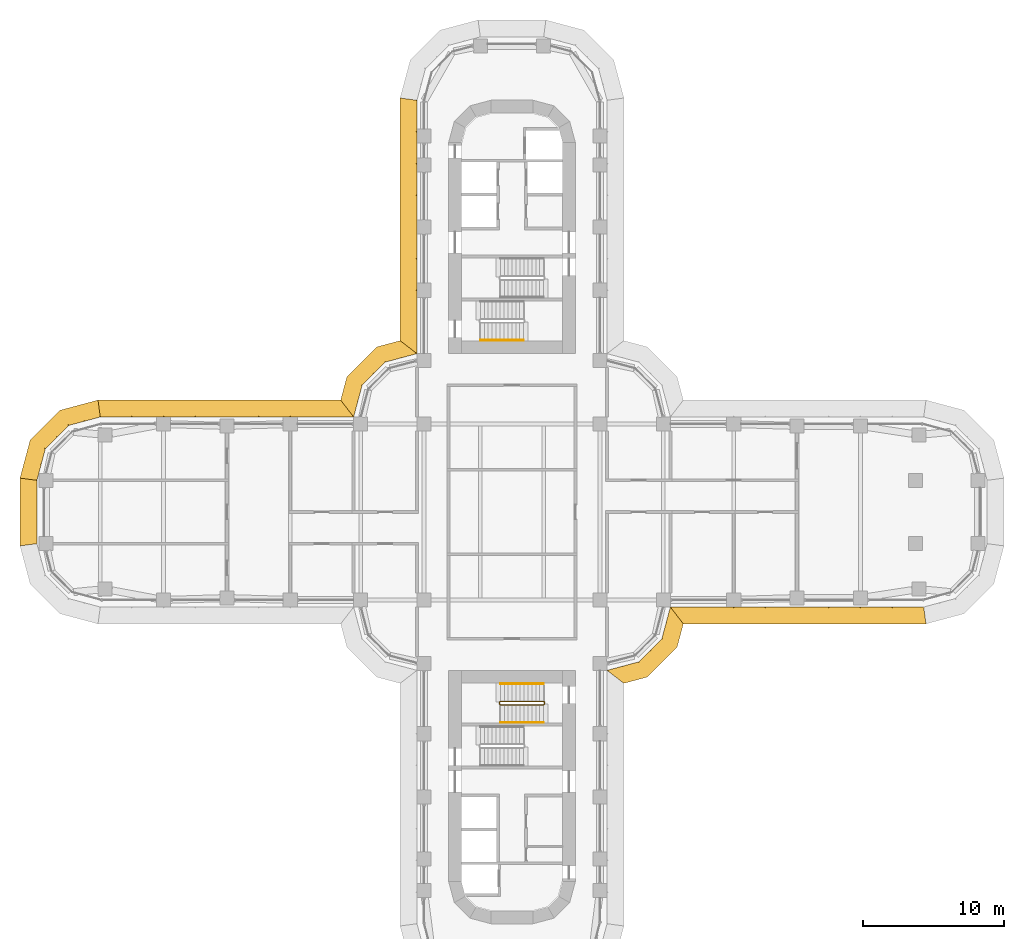
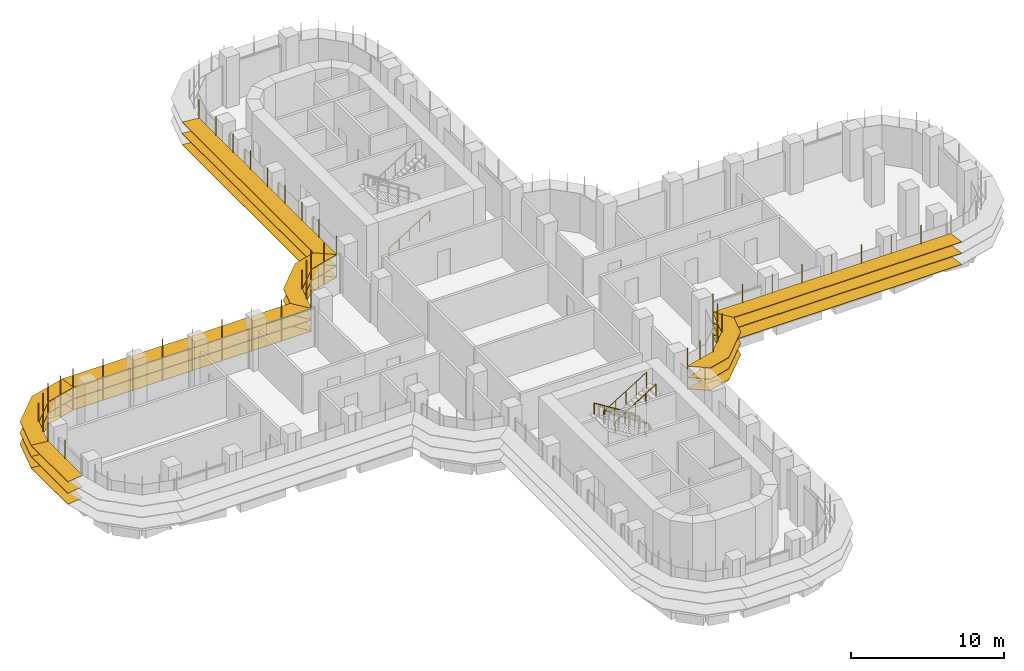
# One storey, part 21 of 23: 7 shading devices, 4 railings.
"""IFC4 building model written with IfcOpenShell, lengths in metres."""

import ifcopenshell
import ifcopenshell.guid

model = None  # the IFC model being written
_history = None  # IfcOwnerHistory: only IFC2X3 demands one
_inside = {}  # id of a spatial element -> (the spatial element, [elements in it])
_under = {}  # id of a project, library or spatial element -> (it, [spatial elements below it])
_declared = {}  # id of a project -> (the project, [libraries it declares])
_typed = {}  # id of a type object -> (the type object, [elements of that type])
_made_of = {}  # id of a material, layer set ... -> (it, [elements and type objects made of it])


def new_model(schema):
    """Start an empty IFC model of exactly this schema.

    Asked for "IFC4X3", IfcOpenShell would pick the latest addendum, in which some entities
    have other attributes; the version numbers below select the first issue.
    IFC2X3 requires an IfcOwnerHistory on every rooted entity: one is made here for all.
    """
    global model, _history
    if schema == "IFC4X3":
        model = ifcopenshell.file(schema_version=(4, 3, 0, 0))
    else:
        model = ifcopenshell.file(schema=schema)
    _inside.clear()
    _under.clear()
    _declared.clear()
    _typed.clear()
    _made_of.clear()
    _history = None
    if model.schema == "IFC2X3":
        org = make("IfcOrganization", Name="unknown")
        user = make(
            "IfcPersonAndOrganization",
            ThePerson=make("IfcPerson", FamilyName="unknown"),
            TheOrganization=org,
        )
        app = make(
            "IfcApplication",
            ApplicationDeveloper=org,
            Version="unknown",
            ApplicationFullName="unknown",
            ApplicationIdentifier="unknown",
        )
        _history = make(
            "IfcOwnerHistory",
            OwningUser=user,
            OwningApplication=app,
            ChangeAction="ADDED",
            CreationDate=0,
        )
    return model


def make(cls, **values):
    """One entity of the class cls with the attributes given. An attribute that is None is left unset."""
    return model.create_entity(
        cls, **{name: value for name, value in values.items() if value is not None}
    )


def rooted(cls, **values):
    """An entity with a GlobalId (a new one), such as an element, a storey or a relation."""
    return make(cls, GlobalId=ifcopenshell.guid.new(), OwnerHistory=_history, **values)


def si_unit(unit_type, name, prefix=None):
    """IfcSIUnit, for example si_unit("LENGTHUNIT", "METRE", prefix="MILLI")."""
    return make("IfcSIUnit", UnitType=unit_type, Prefix=prefix, Name=name)


def assignment(units):
    """IfcUnitAssignment: the units of a project."""
    return None if units is None else make("IfcUnitAssignment", Units=units)


def point(xyz):
    """IfcCartesianPoint."""
    return None if xyz is None else make("IfcCartesianPoint", Coordinates=xyz)


def direction(xyz):
    """IfcDirection."""
    return None if xyz is None else make("IfcDirection", DirectionRatios=xyz)


def frame(location, z_axis=None, x_axis=None):
    """IfcAxis2Placement3D, a coordinate frame: its origin and axes. An axis left out is left unset."""
    return make(
        "IfcAxis2Placement3D",
        Location=point(location),
        Axis=direction(z_axis),
        RefDirection=direction(x_axis),
    )


def frame_2d(location, x_axis=None):
    """IfcAxis2Placement2D, a coordinate frame in the plane: its origin and x axis."""
    return make(
        "IfcAxis2Placement2D", Location=point(location), RefDirection=direction(x_axis)
    )


def origin():
    """The frame at (0, 0, 0) with its axes left unset."""
    return frame((0.0, 0.0, 0.0))


def origin_2d():
    """The frame at (0, 0) in the plane with its x axis left unset."""
    return frame_2d((0.0, 0.0))


def place(relative_to, where):
    """IfcLocalPlacement: puts the frame where relative to a parent placement (None: the world)."""
    return make(
        "IfcLocalPlacement", PlacementRelTo=relative_to, RelativePlacement=where
    )


def context(
    kind, dimensions, precision=None, world=None, true_north=None, identifier=None
):
    """IfcGeometricRepresentationContext, for example the 3D "Model" context."""
    return make(
        "IfcGeometricRepresentationContext",
        ContextIdentifier=identifier,
        ContextType=kind,
        CoordinateSpaceDimension=dimensions,
        Precision=precision,
        WorldCoordinateSystem=world,
        TrueNorth=true_north,
    )


def subcontext(parent, identifier, kind, view, scale=None):
    """IfcGeometricRepresentationSubContext, for example "Body" below "Model"."""
    return make(
        "IfcGeometricRepresentationSubContext",
        ContextIdentifier=identifier,
        ContextType=kind,
        ParentContext=parent,
        TargetScale=scale,
        TargetView=view,
    )


def project(units=None, contexts=None):
    """IfcProject with its units and contexts."""
    return rooted(
        "IfcProject",
        Name="project",
        RepresentationContexts=contexts,
        UnitsInContext=assignment(units),
    )


def spatial(cls, under=None, at=None, **own):
    """A site, building, storey or space (cls), placed at a placement, below another one or the project."""
    s = rooted(cls, ObjectPlacement=at, **own)
    if under is not None:
        _under.setdefault(under.id(), (under, []))[1].append(s)
    return s


def polyline(points):
    """IfcPolyline through the points."""
    return make("IfcPolyline", Points=[point(p) for p in points])


def profile(cls, at=None, kind="AREA", **sizes):
    """A parametric profile (cls). Its sizes go by their IFC names, for example OverallWidth=200.0."""
    return make(cls, ProfileType=kind, Position=at, **sizes)


def circle(**sizes):
    """IfcCircleProfileDef."""
    return profile("IfcCircleProfileDef", **sizes)


def outline(outer, holes=None, kind="AREA"):
    """IfcArbitraryClosedProfileDef: a profile drawn as a closed curve; with holes, ...WithVoids."""
    if holes is None:
        return make("IfcArbitraryClosedProfileDef", ProfileType=kind, OuterCurve=outer)
    return make(
        "IfcArbitraryProfileDefWithVoids",
        ProfileType=kind,
        OuterCurve=outer,
        InnerCurves=holes,
    )


def extrude(swept, where, along, depth):
    """IfcExtrudedAreaSolid: the profile swept, set in the frame where, extruded along a direction by depth."""
    return make(
        "IfcExtrudedAreaSolid",
        SweptArea=swept,
        Position=where,
        ExtrudedDirection=direction(along),
        Depth=depth,
    )


def faces_of(points, faces, orient=None, outer=None):
    """IfcFace entities. A face is a list of loops; a loop is a list of indices into points, from 0.

    orient and outer hold one flag for each loop. By default every Orientation is true, the
    first loop of a face is its IfcFaceOuterBound and the others are IfcFaceBound.
    """
    made = []
    for i, loops in enumerate(faces):
        bounds = []
        for j, loop in enumerate(loops):
            is_outer = j == 0 if outer is None else outer[i][j]
            bounds.append(
                make(
                    "IfcFaceOuterBound" if is_outer else "IfcFaceBound",
                    Bound=make("IfcPolyLoop", Polygon=[points[k] for k in loop]),
                    Orientation=True if orient is None else orient[i][j],
                )
            )
        made.append(make("IfcFace", Bounds=bounds))
    return made


def faceted_brep(points, faces, orient=None, outer=None, voids=None):
    """IfcFacetedBrep: a solid bounded by flat faces; with voids (closed shells), ...WithVoids."""
    shared = [point(p) for p in points]
    hull = make("IfcClosedShell", CfsFaces=faces_of(shared, faces, orient, outer))
    if voids is None:
        return make("IfcFacetedBrep", Outer=hull)
    return make(
        "IfcFacetedBrepWithVoids",
        Outer=hull,
        Voids=[
            make(cls, CfsFaces=faces_of(shared, fs, o, b)) for cls, fs, o, b in voids
        ],
    )


def shape(context_of_items, identifier, shape_type, items):
    """IfcShapeRepresentation: the items that make up one representation, for example the "Body"."""
    return make(
        "IfcShapeRepresentation",
        ContextOfItems=context_of_items,
        RepresentationIdentifier=identifier,
        RepresentationType=shape_type,
        Items=items,
    )


def source(mapping_origin, context_of_items, identifier, shape_type, items):
    """IfcRepresentationMap: a shape defined once, which mapped items show again and again."""
    return make(
        "IfcRepresentationMap",
        MappingOrigin=mapping_origin,
        MappedRepresentation=shape(context_of_items, identifier, shape_type, items),
    )


def transform(
    local_origin,
    x_axis=None,
    y_axis=None,
    z_axis=None,
    scale=None,
    scale2=None,
    scale3=None,
    uniform=True,
):
    """IfcCartesianTransformationOperator3D, or its non-uniform kind. x_axis, y_axis, z_axis: its Axis1, 2, 3."""
    if uniform:
        return make(
            "IfcCartesianTransformationOperator3D",
            Axis1=direction(x_axis),
            Axis2=direction(y_axis),
            LocalOrigin=point(local_origin),
            Scale=scale,
            Axis3=direction(z_axis),
        )
    return make(
        "IfcCartesianTransformationOperator3DnonUniform",
        Axis1=direction(x_axis),
        Axis2=direction(y_axis),
        LocalOrigin=point(local_origin),
        Scale=scale,
        Axis3=direction(z_axis),
        Scale2=scale2,
        Scale3=scale3,
    )


def mapped(mapping_source, mapping_target):
    """IfcMappedItem: shows the shape of a source again, moved by a transform."""
    return make(
        "IfcMappedItem", MappingSource=mapping_source, MappingTarget=mapping_target
    )


def material(Name=None, Category=None):
    """IfcMaterial."""
    return make("IfcMaterial", Name=Name, Category=Category)


def made_of(thing, what):
    """Note that an element or type object is made of a material, layer set ...; save() writes the relation."""
    if what is not None:
        _made_of.setdefault(what.id(), (what, []))[1].append(thing)
    return thing


def type_object(cls, material=None, **own):
    """A type object (cls), such as IfcWallType, which elements share."""
    return made_of(rooted(cls, **own), material)


def element(
    cls,
    number,
    at=None,
    inside=None,
    cuts=None,
    type_object=None,
    material=None,
    context=None,
    identifier="Body",
    shape_type=None,
    held_by="IfcProductDefinitionShape",
    body=None,
    shapes=None,
    **own,
):
    """One element of the class cls, such as IfcWall. Its Tag is "e" and its number.

    at: its placement. inside: the storey or other place that contains it. cuts: it is an
    opening in that element (IfcRelVoidsElement). A single representation is given by context,
    identifier, shape_type and body (its items); several are given by shapes. held_by: the class
    of the entity that holds the representations. save() writes the other relations.
    """
    e = rooted(cls, Tag="e%d" % number, ObjectPlacement=at, **own)
    if body is not None:
        shapes = [shape(context, identifier, shape_type, body)]
    if shapes is not None:
        e.Representation = make(held_by, Representations=shapes)
    if inside is not None:
        _inside.setdefault(inside.id(), (inside, []))[1].append(e)
    if cuts is not None:
        rooted(
            "IfcRelVoidsElement", RelatingBuildingElement=cuts, RelatedOpeningElement=e
        )
    if type_object is not None:
        _typed.setdefault(type_object.id(), (type_object, []))[1].append(e)
    return made_of(e, material)


def aggregate(whole, parts):
    """IfcRelAggregates: a whole, such as a stair, and the parts it consists of."""
    return rooted("IfcRelAggregates", RelatingObject=whole, RelatedObjects=parts)


def save(model, path):
    """Write the relations noted so far, then the file.

    IfcRelAggregates (storeys below a building ...), IfcRelContainedInSpatialStructure (elements
    in a storey), IfcRelDefinesByType, IfcRelAssociatesMaterial and IfcRelDeclares: one each for
    every whole, place, type object, material and project.
    """
    for whole, parts in _under.values():
        aggregate(whole, parts)
    for where, things in _inside.values():
        rooted(
            "IfcRelContainedInSpatialStructure",
            RelatedElements=things,
            RelatingStructure=where,
        )
    for kind, things in _typed.values():
        rooted("IfcRelDefinesByType", RelatedObjects=things, RelatingType=kind)
    for what, things in _made_of.values():
        rooted("IfcRelAssociatesMaterial", RelatedObjects=things, RelatingMaterial=what)
    for by, libraries in _declared.values():
        rooted("IfcRelDeclares", RelatingContext=by, RelatedDefinitions=libraries)
    model.write(path)


model = new_model("IFC4")

# Units and contexts
model_context = context("Model", 3, precision=1e-05, world=origin(), true_north=direction((0.0, 1.0)))
body_context = subcontext(model_context, "Body", "Model", "MODEL_VIEW")
ifc_project = project(units=[si_unit("LENGTHUNIT", "METRE"), si_unit("AREAUNIT", "SQUARE_METRE"), si_unit("VOLUMEUNIT", "CUBIC_METRE"), si_unit("PLANEANGLEUNIT", "RADIAN"), si_unit("MASSUNIT", "GRAM", prefix="KILO")], contexts=[model_context])

# Site, building, storey
site_placement = place(None, origin())
site = spatial("IfcSite", under=ifc_project, at=site_placement, CompositionType="ELEMENT")
building_placement = place(site_placement, origin())
building = spatial("IfcBuilding", under=site, at=building_placement, Name="Zarbagh Exchange Tower", CompositionType="ELEMENT")
storey_placement = place(building_placement, frame((0.0, 0.0, 39.60009765625)))
storey = spatial("IfcBuildingStorey", under=building, at=storey_placement, Name="L08", CompositionType="ELEMENT", Elevation=39.60009765625)

# Railings
ifc_material_1 = material(Name="Stainless steel", Category="steel")
railing_type_1 = type_object("IfcRailingType", Name="Stair guard 1100 mm", PredefinedType="GUARDRAIL", material=ifc_material_1)
railing_1_placement = place(storey_placement, frame((-0.8798828125, -13.5, 2.099853515625)))
element("IfcRailing", 1, at=railing_1_placement, inside=storey, type_object=railing_type_1, Name="ST4 stair guard 1", PredefinedType="GUARDRAIL", context=body_context, shape_type="SweptSolid", body=[
    extrude(circle(Radius=0.02392578125, at=origin_2d()), frame((0.0, 0.0, 1.076171875), z_axis=(0.0, -1.0, 0.0), x_axis=(1.0, 0.0, 0.0)), (0.0, 0.0, 1.0), 0.14990234375),
    extrude(circle(Radius=0.02392578125, at=origin_2d()), frame((0.0, -0.14990234375, 1.076171875), z_axis=(0.263862480399, -0.265155923931, 0.927399011991), x_axis=(0.708833529934, 0.705375805398, 0.0)), (0.0, 0.0, 1.0), 0.188720703125),
    extrude(circle(Radius=0.02392578125, at=origin_2d()), frame((0.0498046875, -0.199951171875, 1.2509765625), z_axis=(0.847998304005, 0.0, 0.529998940003), x_axis=(0.0, 1.0, 0.0)), (0.0, 0.0, 1.0), 3.632080078125),
    extrude(circle(Radius=0.02392578125, at=origin_2d()), frame((3.1298828125, -0.199951171875, 3.17626953125), z_axis=(0.011914834358, 0.011914834358, -0.999858026644), x_axis=(-0.707106781187, 0.707106781187, 0.0)), (0.0, 0.0, 1.0), 4.200439453125),
    extrude(circle(Radius=0.02392578125, at=origin_2d()), frame((3.179931640625, -0.14990234375, -1.02392578125), z_axis=(0.0, 1.0, 0.0), x_axis=(-1.0, 0.0, 0.0)), (0.0, 0.0, 1.0), 0.14990234375),
    extrude(circle(Radius=0.02392578125, at=origin_2d()), frame((3.179931640625, 0.0, -1.02392578125), z_axis=(-0.265383341853, 0.265383341853, 0.926899867156), x_axis=(-0.707106781187, -0.707106781187, 0.0)), (0.0, 0.0, 1.0), 0.1884765625),
    extrude(circle(Radius=0.02392578125, at=origin_2d()), frame((3.1298828125, 0.050048828125, -0.84912109375), z_axis=(-0.847998304005, 0.0, 0.529998940003), x_axis=(0.0, -1.0, 0.0)), (0.0, 0.0, 1.0), 3.632080078125),
    extrude(circle(Radius=0.02099609375, at=origin_2d()), origin(), (0.0, 0.0, 1.0), 1.052001953125),
    extrude(circle(Radius=0.02099609375, at=origin_2d()), frame((0.0, -0.14990234375, 0.0)), (0.0, 0.0, 1.0), 1.052001953125),
    extrude(circle(Radius=0.02099609375, at=origin_2d()), frame((0.0498046875, -0.199951171875, 0.175048828125)), (0.0, 0.0, 1.0), 1.052001953125),
    extrude(circle(Radius=0.02099609375, at=origin_2d()), frame((0.81982421875, -0.199951171875, 0.65625)), (0.0, 0.0, 1.0), 1.052001953125),
    extrude(circle(Radius=0.02099609375, at=origin_2d()), frame((1.58984375, -0.199951171875, 1.1376953125)), (0.0, 0.0, 1.0), 1.052001953125),
    extrude(circle(Radius=0.02099609375, at=origin_2d()), frame((2.35986328125, -0.199951171875, 1.618896484375)), (0.0, 0.0, 1.0), 1.052001953125),
    extrude(circle(Radius=0.02099609375, at=origin_2d()), frame((3.1298828125, -0.199951171875, 2.10009765625)), (0.0, 0.0, 1.0), 1.052001953125),
    extrude(circle(Radius=0.02099609375, at=origin_2d()), frame((3.142333984375, -0.1875, 1.050048828125)), (0.0, 0.0, 1.0), 1.052001953125),
    extrude(circle(Radius=0.02099609375, at=origin_2d()), frame((3.15478515625, -0.1748046875, 0.0)), (0.0, 0.0, 1.0), 1.052001953125),
    extrude(circle(Radius=0.02099609375, at=origin_2d()), frame((3.16748046875, -0.162353515625, -1.0498046875)), (0.0, 0.0, 1.0), 1.052001953125),
    extrude(circle(Radius=0.02099609375, at=origin_2d()), frame((3.179931640625, -0.14990234375, -2.099853515625)), (0.0, 0.0, 1.0), 1.052001953125),
    extrude(circle(Radius=0.02099609375, at=origin_2d()), frame((3.179931640625, 0.0, -2.099853515625)), (0.0, 0.0, 1.0), 1.052001953125),
    extrude(circle(Radius=0.02099609375, at=origin_2d()), frame((3.1298828125, 0.050048828125, -1.925048828125)), (0.0, 0.0, 1.0), 1.052001953125),
    extrude(circle(Radius=0.02099609375, at=origin_2d()), frame((2.35986328125, 0.050048828125, -1.44384765625)), (0.0, 0.0, 1.0), 1.052001953125),
    extrude(circle(Radius=0.02099609375, at=origin_2d()), frame((1.58984375, 0.050048828125, -0.96240234375)), (0.0, 0.0, 1.0), 1.052001953125),
    extrude(circle(Radius=0.02099609375, at=origin_2d()), frame((0.81982421875, 0.050048828125, -0.481201171875)), (0.0, 0.0, 1.0), 1.052001953125),
    extrude(circle(Radius=0.02099609375, at=origin_2d()), frame((0.0498046875, 0.050048828125, 0.0)), (0.0, 0.0, 1.0), 1.052001953125),
])
railing_type_2 = type_object("IfcRailingType", Name="Stair handrail 900 mm", PredefinedType="HANDRAIL", material=ifc_material_1)
railing_2_placement = place(storey_placement, frame((-2.25, 12.199951171875, 0.1748046875)))
element("IfcRailing", 2, at=railing_2_placement, inside=storey, type_object=railing_type_2, Name="ST2 stair handrail 1", PredefinedType="HANDRAIL", context=body_context, shape_type="SweptSolid", body=[
    extrude(circle(Radius=0.02392578125, at=origin_2d()), frame((0.0, 0.0, 0.8759765625), z_axis=(0.847998304005, 0.0, 0.529998940003), x_axis=(0.0, 1.0, 0.0)), (0.0, 0.0, 1.0), 3.632080078125),
    extrude(circle(Radius=0.02099609375, at=origin_2d()), origin(), (0.0, 0.0, 1.0), 0.851806640625),
    extrude(circle(Radius=0.02099609375, at=origin_2d()), frame((0.77001953125, 0.0, 0.481201171875)), (0.0, 0.0, 1.0), 0.851806640625),
    extrude(circle(Radius=0.02099609375, at=origin_2d()), frame((1.5400390625, 0.0, 0.96240234375)), (0.0, 0.0, 1.0), 0.851806640625),
    extrude(circle(Radius=0.02099609375, at=origin_2d()), frame((2.31005859375, 0.0, 1.44384765625)), (0.0, 0.0, 1.0), 0.851806640625),
    extrude(circle(Radius=0.02099609375, at=origin_2d()), frame((3.080078125, 0.0, 1.925048828125)), (0.0, 0.0, 1.0), 0.851806640625),
])
railing_3_placement = place(storey_placement, frame((2.25, -12.199951171875, 0.1748046875)))
element("IfcRailing", 3, at=railing_3_placement, inside=storey, type_object=railing_type_2, Name="ST4 stair handrail 1", PredefinedType="HANDRAIL", context=body_context, shape_type="SweptSolid", body=[
    extrude(circle(Radius=0.02392578125, at=origin_2d()), frame((0.0, 0.0, 0.8759765625), z_axis=(-0.847998304005, 0.0, 0.529998940003), x_axis=(0.0, -1.0, 0.0)), (0.0, 0.0, 1.0), 3.632080078125),
    extrude(circle(Radius=0.02099609375, at=origin_2d()), origin(), (0.0, 0.0, 1.0), 0.851806640625),
    extrude(circle(Radius=0.02099609375, at=origin_2d()), frame((-0.77001953125, 0.0, 0.481201171875)), (0.0, 0.0, 1.0), 0.851806640625),
    extrude(circle(Radius=0.02099609375, at=origin_2d()), frame((-1.5400390625, 0.0, 0.96240234375)), (0.0, 0.0, 1.0), 0.851806640625),
    extrude(circle(Radius=0.02099609375, at=origin_2d()), frame((-2.31005859375, 0.0, 1.44384765625)), (0.0, 0.0, 1.0), 0.851806640625),
    extrude(circle(Radius=0.02099609375, at=origin_2d()), frame((-3.080078125, 0.0, 1.925048828125)), (0.0, 0.0, 1.0), 0.851806640625),
])
railing_4_placement = place(storey_placement, frame((-0.830078125, -14.949951171875, 2.27490234375)))
element("IfcRailing", 4, at=railing_4_placement, inside=storey, type_object=railing_type_2, Name="ST4 stair handrail 2", PredefinedType="HANDRAIL", context=body_context, shape_type="SweptSolid", body=[
    extrude(circle(Radius=0.02392578125, at=origin_2d()), frame((0.0, 0.0, 0.8759765625), z_axis=(0.847998304005, 0.0, 0.529998940003), x_axis=(0.0, 1.0, 0.0)), (0.0, 0.0, 1.0), 3.632080078125),
    extrude(circle(Radius=0.02099609375, at=origin_2d()), origin(), (0.0, 0.0, 1.0), 0.851806640625),
    extrude(circle(Radius=0.02099609375, at=origin_2d()), frame((0.77001953125, 0.0, 0.481201171875)), (0.0, 0.0, 1.0), 0.851806640625),
    extrude(circle(Radius=0.02099609375, at=origin_2d()), frame((1.5400390625, 0.0, 0.96240234375)), (0.0, 0.0, 1.0), 0.851806640625),
    extrude(circle(Radius=0.02099609375, at=origin_2d()), frame((2.31005859375, 0.0, 1.44384765625)), (0.0, 0.0, 1.0), 0.851806640625),
    extrude(circle(Radius=0.02099609375, at=origin_2d()), frame((3.080078125, 0.0, 1.925048828125)), (0.0, 0.0, 1.0), 0.851806640625),
])

# Shading devices
ifc_material_2 = material(Name="Anodised aluminium blades and brackets", Category="aluminium")
shading_device_type = type_object("IfcShadingDeviceType", Name="SUNSHADE louvre band, 0 degree blades", PredefinedType="JALOUSIE", material=ifc_material_2)
shared_shape_1 = source(origin(), body_context, "Body", "Brep", [
    faceted_brep([(0.0, 0.0, 0.0), (0.0, 0.0, -0.0400390625), (-0.157958984375, -1.199951171875, -0.0400390625), (-0.157958984375, -1.199951171875, 0.0), (2.65087890625, -1.199951171875, 0.0), (2.65087890625, -1.199951171875, -0.0400390625), (2.329345703125, 0.0, -0.0400390625), (2.329345703125, 0.0, 0.0)], [[[0, 1, 2, 3]], [[4, 5, 6, 7]], [[0, 7, 6, 1]], [[1, 6, 5, 2]], [[2, 5, 4, 3]], [[3, 4, 7, 0]]]),
])
shared_shape_2 = source(origin(), body_context, "Body", "Brep", [
    faceted_brep([(0.0, 0.0, 0.0), (0.0, 0.0, -0.0400390625), (-0.321533203125, -1.199951171875, -0.0400390625), (-0.321533203125, -1.199951171875, 0.0), (2.65087890625, -1.199951171875, 0.0), (2.65087890625, -1.199951171875, -0.0400390625), (2.329345703125, 0.0, -0.0400390625), (2.329345703125, 0.0, 0.0)], [[[0, 1, 2, 3]], [[4, 5, 6, 7]], [[0, 7, 6, 1]], [[1, 6, 5, 2]], [[2, 5, 4, 3]], [[3, 4, 7, 0]]]),
])
shared_shape_3 = source(origin(), body_context, "Body", "Brep", [
    faceted_brep([(0.0, 0.0, 0.0), (0.0, 0.0, -0.0400390625), (-0.321533203125, -1.199951171875, -0.0400390625), (-0.321533203125, -1.199951171875, 0.0), (2.4873046875, -1.199951171875, 0.0), (2.4873046875, -1.199951171875, -0.0400390625), (2.329345703125, 0.0, -0.0400390625), (2.329345703125, 0.0, 0.0)], [[[0, 1, 2, 3]], [[4, 5, 6, 7]], [[0, 7, 6, 1]], [[1, 6, 5, 2]], [[2, 5, 4, 3]], [[3, 4, 7, 0]]]),
])
shared_shape_4 = source(origin(), body_context, "Body", "SweptSolid", [
    extrude(outline(polyline([(0.0, -0.012451171875), (0.06005859375, -0.012451171875), (0.06005859375, 0.012451171875), (0.0, 0.012451171875), (0.0, -0.012451171875)])), origin(), (0.0, 0.0, 1.0), 3.35009765625),
])
placement = place(storey_placement, origin())
element("IfcShadingDevice", 5, at=placement, inside=storey, type_object=shading_device_type, Name="SS17 sunshade band", PredefinedType="JALOUSIE", context=body_context, shape_type="MappedRepresentation", body=[
    mapped(shared_shape_1, transform((-29.25, 6.75, 2.699951171875), x_axis=(-0.965924289636, -0.258824779902, 0.0), y_axis=(0.258824779902, -0.965924289636, 0.0), z_axis=(0.0, 0.0, 1.0))),
    mapped(shared_shape_1, transform((-29.25, 6.75, 1.7998046875), x_axis=(-0.965924289636, -0.258824779902, 0.0), y_axis=(0.258824779902, -0.965924289636, 0.0), z_axis=(0.0, 0.0, 1.0))),
    mapped(shared_shape_1, transform((-29.25, 6.75, 0.89990234375), x_axis=(-0.965924289636, -0.258824779902, 0.0), y_axis=(0.258824779902, -0.965924289636, 0.0), z_axis=(0.0, 0.0, 1.0))),
    mapped(shared_shape_2, transform((-31.5, 6.147216796875, 2.699951171875), x_axis=(-0.707106781187, -0.707106781187, 0.0), y_axis=(0.707106781187, -0.707106781187, 0.0), z_axis=(0.0, 0.0, 1.0))),
    mapped(shared_shape_2, transform((-31.5, 6.147216796875, 1.7998046875), x_axis=(-0.707106781187, -0.707106781187, 0.0), y_axis=(0.707106781187, -0.707106781187, 0.0), z_axis=(0.0, 0.0, 1.0))),
    mapped(shared_shape_2, transform((-31.5, 6.147216796875, 0.89990234375), x_axis=(-0.707106781187, -0.707106781187, 0.0), y_axis=(0.707106781187, -0.707106781187, 0.0), z_axis=(0.0, 0.0, 1.0))),
    mapped(shared_shape_3, transform((-33.147216796875, 4.5, 2.699951171875), x_axis=(-0.258824779902, -0.965924289636, 0.0), y_axis=(0.965924289636, -0.258824779902, 0.0), z_axis=(0.0, 0.0, 1.0))),
    mapped(shared_shape_3, transform((-33.147216796875, 4.5, 1.7998046875), x_axis=(-0.258824779902, -0.965924289636, 0.0), y_axis=(0.965924289636, -0.258824779902, 0.0), z_axis=(0.0, 0.0, 1.0))),
    mapped(shared_shape_3, transform((-33.147216796875, 4.5, 0.89990234375), x_axis=(-0.258824779902, -0.965924289636, 0.0), y_axis=(0.965924289636, -0.258824779902, 0.0), z_axis=(0.0, 0.0, 1.0))),
    mapped(shared_shape_4, transform((-29.25, 6.75, 0.829833984375), x_axis=(-0.130529263012, 0.991444457092, 0.0), y_axis=(-0.991444457092, -0.130529263012, 0.0), z_axis=(0.0, 0.0, 1.0))),
    mapped(shared_shape_4, transform((-30.375, 6.448486328125, 0.829833984375), x_axis=(-0.258825058029, 0.96592421511, 0.0), y_axis=(-0.96592421511, -0.258825058029, 0.0), z_axis=(0.0, 0.0, 1.0))),
    mapped(shared_shape_4, transform((-31.5, 6.147216796875, 0.829833984375), x_axis=(-0.50000275701, 0.866023812018, 0.0), y_axis=(-0.866023812018, -0.50000275701, 0.0), z_axis=(0.0, 0.0, 1.0))),
    mapped(shared_shape_4, transform((-32.323486328125, 5.323486328125, 0.829833984375), x_axis=(-0.707106781187, 0.707106781187, 0.0), y_axis=(-0.707106781187, -0.707106781187, 0.0), z_axis=(0.0, 0.0, 1.0))),
    mapped(shared_shape_4, transform((-33.147216796875, 4.5, 0.829833984375), x_axis=(-0.866023812018, 0.50000275701, 0.0), y_axis=(-0.50000275701, -0.866023812018, 0.0), z_axis=(0.0, 0.0, 1.0))),
    mapped(shared_shape_4, transform((-33.448486328125, 3.375, 0.829833984375), x_axis=(-0.96592421511, 0.258825058029, 0.0), y_axis=(-0.258825058029, -0.96592421511, 0.0), z_axis=(0.0, 0.0, 1.0))),
])
shared_shape_5 = source(origin(), body_context, "Body", "Brep", [
    faceted_brep([(0.0, 0.0, 0.0), (0.0, 0.0, -0.0400390625), (0.9208984375, -1.199951171875, -0.0400390625), (0.9208984375, -1.199951171875, 0.0), (2.65087890625, -1.199951171875, 0.0), (2.65087890625, -1.199951171875, -0.0400390625), (2.329345703125, 0.0, -0.0400390625), (2.329345703125, 0.0, 0.0)], [[[0, 1, 2, 3]], [[4, 5, 6, 7]], [[0, 7, 6, 1]], [[1, 6, 5, 2]], [[2, 5, 4, 3]], [[3, 4, 7, 0]]]),
])
shared_shape_6 = source(origin(), body_context, "Body", "Brep", [
    faceted_brep([(0.0, 0.0, 0.0), (0.0, 0.0, -0.0400390625), (-0.321533203125, -1.199951171875, -0.0400390625), (-0.321533203125, -1.199951171875, 0.0), (1.40869140625, -1.199951171875, 0.0), (1.40869140625, -1.199951171875, -0.0400390625), (2.329345703125, 0.0, -0.0400390625), (2.329345703125, 0.0, 0.0)], [[[0, 1, 2, 3]], [[4, 5, 6, 7]], [[0, 7, 6, 1]], [[1, 6, 5, 2]], [[2, 5, 4, 3]], [[3, 4, 7, 0]]]),
])
element("IfcShadingDevice", 6, at=placement, inside=storey, type_object=shading_device_type, Name="SS03 sunshade band", PredefinedType="JALOUSIE", context=body_context, shape_type="MappedRepresentation", body=[
    mapped(shared_shape_5, transform((6.75, -11.25, 2.699951171875), x_axis=(0.965924289636, 0.258824779902, 0.0), y_axis=(-0.258824779902, 0.965924289636, 0.0), z_axis=(0.0, 0.0, 1.0))),
    mapped(shared_shape_5, transform((6.75, -11.25, 1.7998046875), x_axis=(0.965924289636, 0.258824779902, 0.0), y_axis=(-0.258824779902, 0.965924289636, 0.0), z_axis=(0.0, 0.0, 1.0))),
    mapped(shared_shape_5, transform((6.75, -11.25, 0.89990234375), x_axis=(0.965924289636, 0.258824779902, 0.0), y_axis=(-0.258824779902, 0.965924289636, 0.0), z_axis=(0.0, 0.0, 1.0))),
    mapped(shared_shape_2, transform((9.0, -10.647216796875, 2.699951171875), x_axis=(0.707106781187, 0.707106781187, 0.0), y_axis=(-0.707106781187, 0.707106781187, 0.0), z_axis=(0.0, 0.0, 1.0))),
    mapped(shared_shape_2, transform((9.0, -10.647216796875, 1.7998046875), x_axis=(0.707106781187, 0.707106781187, 0.0), y_axis=(-0.707106781187, 0.707106781187, 0.0), z_axis=(0.0, 0.0, 1.0))),
    mapped(shared_shape_2, transform((9.0, -10.647216796875, 0.89990234375), x_axis=(0.707106781187, 0.707106781187, 0.0), y_axis=(-0.707106781187, 0.707106781187, 0.0), z_axis=(0.0, 0.0, 1.0))),
    mapped(shared_shape_6, transform((10.647216796875, -9.0, 2.699951171875), x_axis=(0.258824779902, 0.965924289636, 0.0), y_axis=(-0.965924289636, 0.258824779902, 0.0), z_axis=(0.0, 0.0, 1.0))),
    mapped(shared_shape_6, transform((10.647216796875, -9.0, 1.7998046875), x_axis=(0.258824779902, 0.965924289636, 0.0), y_axis=(-0.965924289636, 0.258824779902, 0.0), z_axis=(0.0, 0.0, 1.0))),
    mapped(shared_shape_6, transform((10.647216796875, -9.0, 0.89990234375), x_axis=(0.258824779902, 0.965924289636, 0.0), y_axis=(-0.965924289636, 0.258824779902, 0.0), z_axis=(0.0, 0.0, 1.0))),
    mapped(shared_shape_4, transform((6.75, -11.25, 0.829833984375), x_axis=(0.793355287, -0.608758892, 0.0), y_axis=(0.608758892, 0.793355287, 0.0), z_axis=(0.0, 0.0, 1.0))),
    mapped(shared_shape_4, transform((7.875, -10.948486328125, 0.829833984375), x_axis=(0.258825058029, -0.96592421511, 0.0), y_axis=(0.96592421511, 0.258825058029, 0.0), z_axis=(0.0, 0.0, 1.0))),
    mapped(shared_shape_4, transform((9.0, -10.647216796875, 0.829833984375), x_axis=(0.50000275701, -0.866023812018, 0.0), y_axis=(0.866023812018, 0.50000275701, 0.0), z_axis=(0.0, 0.0, 1.0))),
    mapped(shared_shape_4, transform((9.823486328125, -9.823486328125, 0.829833984375), x_axis=(0.707106781187, -0.707106781187, 0.0), y_axis=(0.707106781187, 0.707106781187, 0.0), z_axis=(0.0, 0.0, 1.0))),
    mapped(shared_shape_4, transform((10.647216796875, -9.0, 0.829833984375), x_axis=(0.866023812018, -0.50000275701, 0.0), y_axis=(0.50000275701, 0.866023812018, 0.0), z_axis=(0.0, 0.0, 1.0))),
    mapped(shared_shape_4, transform((10.948486328125, -7.875, 0.829833984375), x_axis=(0.96592421511, -0.258825058029, 0.0), y_axis=(0.258825058029, 0.96592421511, 0.0), z_axis=(0.0, 0.0, 1.0))),
])
element("IfcShadingDevice", 7, at=placement, inside=storey, type_object=shading_device_type, Name="SS15 sunshade band", PredefinedType="JALOUSIE", context=body_context, shape_type="MappedRepresentation", body=[
    mapped(shared_shape_5, transform((-6.75, 11.25, 2.699951171875), x_axis=(-0.965924289636, -0.258824779902, 0.0), y_axis=(0.258824779902, -0.965924289636, 0.0), z_axis=(0.0, 0.0, 1.0))),
    mapped(shared_shape_5, transform((-6.75, 11.25, 1.7998046875), x_axis=(-0.965924289636, -0.258824779902, 0.0), y_axis=(0.258824779902, -0.965924289636, 0.0), z_axis=(0.0, 0.0, 1.0))),
    mapped(shared_shape_5, transform((-6.75, 11.25, 0.89990234375), x_axis=(-0.965924289636, -0.258824779902, 0.0), y_axis=(0.258824779902, -0.965924289636, 0.0), z_axis=(0.0, 0.0, 1.0))),
    mapped(shared_shape_2, transform((-9.0, 10.647216796875, 2.699951171875), x_axis=(-0.707106781187, -0.707106781187, 0.0), y_axis=(0.707106781187, -0.707106781187, 0.0), z_axis=(0.0, 0.0, 1.0))),
    mapped(shared_shape_2, transform((-9.0, 10.647216796875, 1.7998046875), x_axis=(-0.707106781187, -0.707106781187, 0.0), y_axis=(0.707106781187, -0.707106781187, 0.0), z_axis=(0.0, 0.0, 1.0))),
    mapped(shared_shape_2, transform((-9.0, 10.647216796875, 0.89990234375), x_axis=(-0.707106781187, -0.707106781187, 0.0), y_axis=(0.707106781187, -0.707106781187, 0.0), z_axis=(0.0, 0.0, 1.0))),
    mapped(shared_shape_6, transform((-10.647216796875, 9.0, 2.699951171875), x_axis=(-0.258824779902, -0.965924289636, 0.0), y_axis=(0.965924289636, -0.258824779902, 0.0), z_axis=(0.0, 0.0, 1.0))),
    mapped(shared_shape_6, transform((-10.647216796875, 9.0, 1.7998046875), x_axis=(-0.258824779902, -0.965924289636, 0.0), y_axis=(0.965924289636, -0.258824779902, 0.0), z_axis=(0.0, 0.0, 1.0))),
    mapped(shared_shape_6, transform((-10.647216796875, 9.0, 0.89990234375), x_axis=(-0.258824779902, -0.965924289636, 0.0), y_axis=(0.965924289636, -0.258824779902, 0.0), z_axis=(0.0, 0.0, 1.0))),
    mapped(shared_shape_4, transform((-6.75, 11.25, 0.829833984375), x_axis=(-0.793355287, 0.608758892, 0.0), y_axis=(-0.608758892, -0.793355287, 0.0), z_axis=(0.0, 0.0, 1.0))),
    mapped(shared_shape_4, transform((-7.875, 10.948486328125, 0.829833984375), x_axis=(-0.258825058029, 0.96592421511, 0.0), y_axis=(-0.96592421511, -0.258825058029, 0.0), z_axis=(0.0, 0.0, 1.0))),
    mapped(shared_shape_4, transform((-9.0, 10.647216796875, 0.829833984375), x_axis=(-0.50000275701, 0.866023812018, 0.0), y_axis=(-0.866023812018, -0.50000275701, 0.0), z_axis=(0.0, 0.0, 1.0))),
    mapped(shared_shape_4, transform((-9.823486328125, 9.823486328125, 0.829833984375), x_axis=(-0.707106781187, 0.707106781187, 0.0), y_axis=(-0.707106781187, -0.707106781187, 0.0), z_axis=(0.0, 0.0, 1.0))),
    mapped(shared_shape_4, transform((-10.647216796875, 9.0, 0.829833984375), x_axis=(-0.866023812018, 0.50000275701, 0.0), y_axis=(-0.50000275701, -0.866023812018, 0.0), z_axis=(0.0, 0.0, 1.0))),
    mapped(shared_shape_4, transform((-10.948486328125, 7.875, 0.829833984375), x_axis=(-0.96592421511, 0.258825058029, 0.0), y_axis=(-0.258825058029, -0.96592421511, 0.0), z_axis=(0.0, 0.0, 1.0))),
])
shared_shape_7 = source(origin(), body_context, "Body", "Brep", [
    faceted_brep([(0.0, 0.0, 0.0), (0.0, 0.0, -0.0400390625), (0.9208984375, -1.199951171875, -0.0400390625), (0.9208984375, -1.199951171875, 0.0), (18.157958984375, -1.199951171875, 0.0), (18.157958984375, -1.199951171875, -0.0400390625), (18.0, 0.0, -0.0400390625), (18.0, 0.0, 0.0)], [[[0, 1, 2, 3]], [[4, 5, 6, 7]], [[0, 7, 6, 1]], [[1, 6, 5, 2]], [[2, 5, 4, 3]], [[3, 4, 7, 0]]]),
])
element("IfcShadingDevice", 8, at=placement, inside=storey, type_object=shading_device_type, Name="SS04 sunshade band", PredefinedType="JALOUSIE", context=body_context, shape_type="MappedRepresentation", body=[
    mapped(shared_shape_7, transform((11.25, -6.75, 2.699951171875), x_axis=(1.0, 0.0, 0.0), y_axis=(0.0, 1.0, 0.0), z_axis=(0.0, 0.0, 1.0))),
    mapped(shared_shape_7, transform((11.25, -6.75, 1.7998046875), x_axis=(1.0, 0.0, 0.0), y_axis=(0.0, 1.0, 0.0), z_axis=(0.0, 0.0, 1.0))),
    mapped(shared_shape_7, transform((11.25, -6.75, 0.89990234375), x_axis=(1.0, 0.0, 0.0), y_axis=(0.0, 1.0, 0.0), z_axis=(0.0, 0.0, 1.0))),
    mapped(shared_shape_4, transform((11.25, -6.75, 0.829833984375), x_axis=(0.608758892, -0.793355287, 0.0), y_axis=(0.793355287, 0.608758892, 0.0), z_axis=(0.0, 0.0, 1.0))),
    mapped(shared_shape_4, transform((13.5, -6.75, 0.829833984375), x_axis=(0.0, -1.0, 0.0), y_axis=(1.0, 0.0, 0.0), z_axis=(0.0, 0.0, 1.0))),
    mapped(shared_shape_4, transform((15.75, -6.75, 0.829833984375), x_axis=(0.0, -1.0, 0.0), y_axis=(1.0, 0.0, 0.0), z_axis=(0.0, 0.0, 1.0))),
    mapped(shared_shape_4, transform((18.0, -6.75, 0.829833984375), x_axis=(0.0, -1.0, 0.0), y_axis=(1.0, 0.0, 0.0), z_axis=(0.0, 0.0, 1.0))),
    mapped(shared_shape_4, transform((20.25, -6.75, 0.829833984375), x_axis=(0.0, -1.0, 0.0), y_axis=(1.0, 0.0, 0.0), z_axis=(0.0, 0.0, 1.0))),
    mapped(shared_shape_4, transform((22.5, -6.75, 0.829833984375), x_axis=(0.0, -1.0, 0.0), y_axis=(1.0, 0.0, 0.0), z_axis=(0.0, 0.0, 1.0))),
    mapped(shared_shape_4, transform((24.75, -6.75, 0.829833984375), x_axis=(0.0, -1.0, 0.0), y_axis=(1.0, 0.0, 0.0), z_axis=(0.0, 0.0, 1.0))),
    mapped(shared_shape_4, transform((27.0, -6.75, 0.829833984375), x_axis=(0.0, -1.0, 0.0), y_axis=(1.0, 0.0, 0.0), z_axis=(0.0, 0.0, 1.0))),
])
shared_shape_8 = source(origin(), body_context, "Body", "Brep", [
    faceted_brep([(0.0, 0.0, 0.0), (0.0, 0.0, -0.0400390625), (-0.157958984375, -1.199951171875, -0.0400390625), (-0.157958984375, -1.199951171875, 0.0), (17.0791015625, -1.199951171875, 0.0), (17.0791015625, -1.199951171875, -0.0400390625), (18.0, 0.0, -0.0400390625), (18.0, 0.0, 0.0)], [[[0, 1, 2, 3]], [[4, 5, 6, 7]], [[0, 7, 6, 1]], [[1, 6, 5, 2]], [[2, 5, 4, 3]], [[3, 4, 7, 0]]]),
])
element("IfcShadingDevice", 9, at=placement, inside=storey, type_object=shading_device_type, Name="SS14 sunshade band", PredefinedType="JALOUSIE", context=body_context, shape_type="MappedRepresentation", body=[
    mapped(shared_shape_8, transform((-6.75, 29.25, 2.699951171875), x_axis=(0.0, -1.0, 0.0), y_axis=(1.0, 0.0, 0.0), z_axis=(0.0, 0.0, 1.0))),
    mapped(shared_shape_8, transform((-6.75, 29.25, 1.7998046875), x_axis=(0.0, -1.0, 0.0), y_axis=(1.0, 0.0, 0.0), z_axis=(0.0, 0.0, 1.0))),
    mapped(shared_shape_8, transform((-6.75, 29.25, 0.89990234375), x_axis=(0.0, -1.0, 0.0), y_axis=(1.0, 0.0, 0.0), z_axis=(0.0, 0.0, 1.0))),
    mapped(shared_shape_4, transform((-6.75, 29.25, 0.829833984375), x_axis=(-0.991444457092, 0.130529263012, 0.0), y_axis=(-0.130529263012, -0.991444457092, 0.0), z_axis=(0.0, 0.0, 1.0))),
    mapped(shared_shape_4, transform((-6.75, 27.0, 0.829833984375), x_axis=(-1.0, 0.0, 0.0), y_axis=(0.0, -1.0, 0.0), z_axis=(0.0, 0.0, 1.0))),
    mapped(shared_shape_4, transform((-6.75, 24.75, 0.829833984375), x_axis=(-1.0, 0.0, 0.0), y_axis=(0.0, -1.0, 0.0), z_axis=(0.0, 0.0, 1.0))),
    mapped(shared_shape_4, transform((-6.75, 22.5, 0.829833984375), x_axis=(-1.0, 0.0, 0.0), y_axis=(0.0, -1.0, 0.0), z_axis=(0.0, 0.0, 1.0))),
    mapped(shared_shape_4, transform((-6.75, 20.25, 0.829833984375), x_axis=(-1.0, 0.0, 0.0), y_axis=(0.0, -1.0, 0.0), z_axis=(0.0, 0.0, 1.0))),
    mapped(shared_shape_4, transform((-6.75, 18.0, 0.829833984375), x_axis=(-1.0, 0.0, 0.0), y_axis=(0.0, -1.0, 0.0), z_axis=(0.0, 0.0, 1.0))),
    mapped(shared_shape_4, transform((-6.75, 15.75, 0.829833984375), x_axis=(-1.0, 0.0, 0.0), y_axis=(0.0, -1.0, 0.0), z_axis=(0.0, 0.0, 1.0))),
    mapped(shared_shape_4, transform((-6.75, 13.5, 0.829833984375), x_axis=(-1.0, 0.0, 0.0), y_axis=(0.0, -1.0, 0.0), z_axis=(0.0, 0.0, 1.0))),
])
element("IfcShadingDevice", 10, at=placement, inside=storey, type_object=shading_device_type, Name="SS16 sunshade band", PredefinedType="JALOUSIE", context=body_context, shape_type="MappedRepresentation", body=[
    mapped(shared_shape_7, transform((-11.25, 6.75, 2.699951171875), x_axis=(-1.0, 0.0, 0.0), y_axis=(0.0, -1.0, 0.0), z_axis=(0.0, 0.0, 1.0))),
    mapped(shared_shape_7, transform((-11.25, 6.75, 1.7998046875), x_axis=(-1.0, 0.0, 0.0), y_axis=(0.0, -1.0, 0.0), z_axis=(0.0, 0.0, 1.0))),
    mapped(shared_shape_7, transform((-11.25, 6.75, 0.89990234375), x_axis=(-1.0, 0.0, 0.0), y_axis=(0.0, -1.0, 0.0), z_axis=(0.0, 0.0, 1.0))),
    mapped(shared_shape_4, transform((-11.25, 6.75, 0.829833984375), x_axis=(-0.608758892, 0.793355287, 0.0), y_axis=(-0.793355287, -0.608758892, 0.0), z_axis=(0.0, 0.0, 1.0))),
    mapped(shared_shape_4, transform((-13.5, 6.75, 0.829833984375), x_axis=(0.0, 1.0, 0.0), y_axis=(-1.0, 0.0, 0.0), z_axis=(0.0, 0.0, 1.0))),
    mapped(shared_shape_4, transform((-15.75, 6.75, 0.829833984375), x_axis=(0.0, 1.0, 0.0), y_axis=(-1.0, 0.0, 0.0), z_axis=(0.0, 0.0, 1.0))),
    mapped(shared_shape_4, transform((-18.0, 6.75, 0.829833984375), x_axis=(0.0, 1.0, 0.0), y_axis=(-1.0, 0.0, 0.0), z_axis=(0.0, 0.0, 1.0))),
    mapped(shared_shape_4, transform((-20.25, 6.75, 0.829833984375), x_axis=(0.0, 1.0, 0.0), y_axis=(-1.0, 0.0, 0.0), z_axis=(0.0, 0.0, 1.0))),
    mapped(shared_shape_4, transform((-22.5, 6.75, 0.829833984375), x_axis=(0.0, 1.0, 0.0), y_axis=(-1.0, 0.0, 0.0), z_axis=(0.0, 0.0, 1.0))),
    mapped(shared_shape_4, transform((-24.75, 6.75, 0.829833984375), x_axis=(0.0, 1.0, 0.0), y_axis=(-1.0, 0.0, 0.0), z_axis=(0.0, 0.0, 1.0))),
    mapped(shared_shape_4, transform((-27.0, 6.75, 0.829833984375), x_axis=(0.0, 1.0, 0.0), y_axis=(-1.0, 0.0, 0.0), z_axis=(0.0, 0.0, 1.0))),
])
shared_shape_9 = source(origin(), body_context, "Body", "Brep", [
    faceted_brep([(0.0, 0.0, 0.0), (0.0, 0.0, -0.0400390625), (-0.157958984375, -1.199951171875, -0.0400390625), (-0.157958984375, -1.199951171875, 0.0), (4.657958984375, -1.199951171875, 0.0), (4.657958984375, -1.199951171875, -0.0400390625), (4.5, 0.0, -0.0400390625), (4.5, 0.0, 0.0)], [[[0, 1, 2, 3]], [[4, 5, 6, 7]], [[0, 7, 6, 1]], [[1, 6, 5, 2]], [[2, 5, 4, 3]], [[3, 4, 7, 0]]]),
])
element("IfcShadingDevice", 11, at=placement, inside=storey, type_object=shading_device_type, Name="SS18 sunshade band", PredefinedType="JALOUSIE", context=body_context, shape_type="MappedRepresentation", body=[
    mapped(shared_shape_9, transform((-33.75, 2.25, 2.699951171875), x_axis=(0.0, -1.0, 0.0), y_axis=(1.0, 0.0, 0.0), z_axis=(0.0, 0.0, 1.0))),
    mapped(shared_shape_9, transform((-33.75, 2.25, 1.7998046875), x_axis=(0.0, -1.0, 0.0), y_axis=(1.0, 0.0, 0.0), z_axis=(0.0, 0.0, 1.0))),
    mapped(shared_shape_9, transform((-33.75, 2.25, 0.89990234375), x_axis=(0.0, -1.0, 0.0), y_axis=(1.0, 0.0, 0.0), z_axis=(0.0, 0.0, 1.0))),
    mapped(shared_shape_4, transform((-33.75, 2.25, 0.829833984375), x_axis=(-0.991444457092, 0.130529263012, 0.0), y_axis=(-0.130529263012, -0.991444457092, 0.0), z_axis=(0.0, 0.0, 1.0))),
    mapped(shared_shape_4, transform((-33.75, 0.0, 0.829833984375), x_axis=(-1.0, 0.0, 0.0), y_axis=(0.0, -1.0, 0.0), z_axis=(0.0, 0.0, 1.0))),
])

save(model, "model.ifc")
